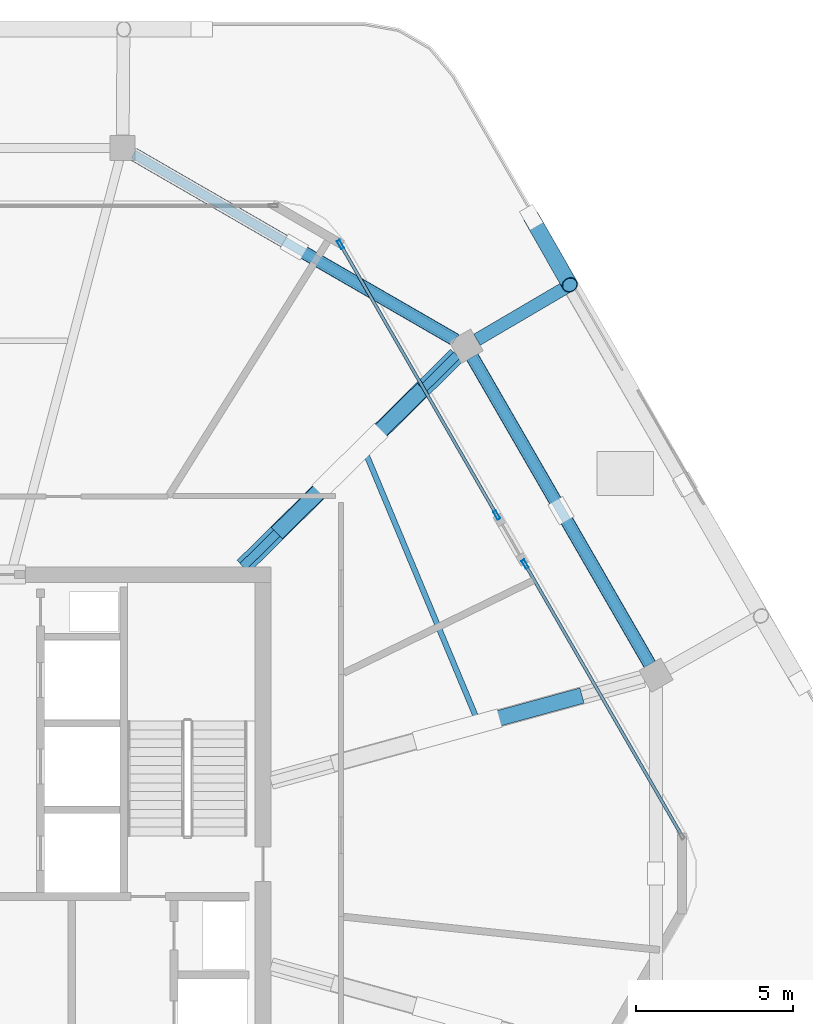
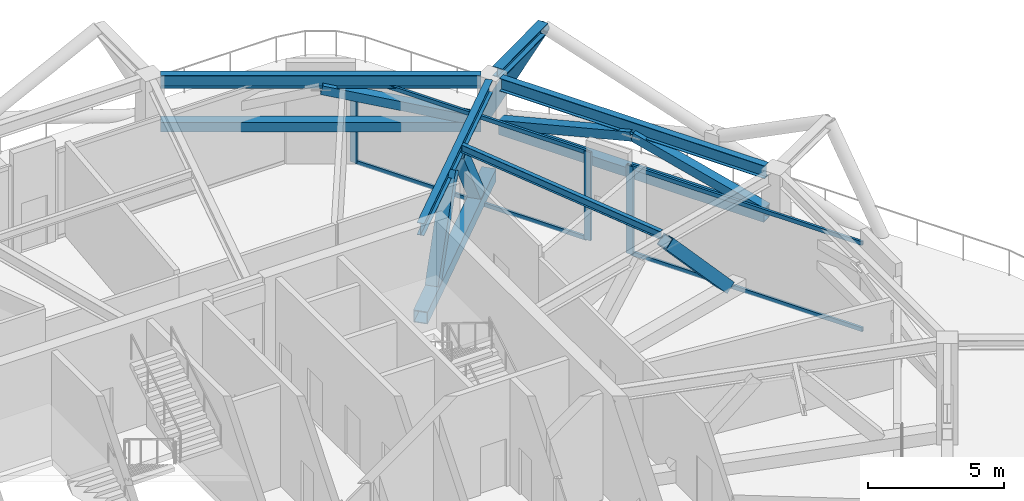
# One storey, part 9 of 19: 17 members, 5 beams, 2 elements without a shape of their own.
"""IFC4 building model written with IfcOpenShell, lengths in metres."""

from ifc_helpers import new_model, si_unit, direction, frame, origin, origin_2d, place, context, subcontext, project, spatial, hollow_rectangle, hollow_circle, i_section, extrude, material, material_profile, profile_set, type_object, element, aggregate, save


model = new_model("IFC4")

# Units and contexts
model_context = context("Model", 3, precision=1e-05, world=origin(), true_north=direction((0.0, 1.0)))
body_context = subcontext(model_context, "Body", "Model", "MODEL_VIEW")
ifc_project = project(units=[si_unit("LENGTHUNIT", "METRE"), si_unit("AREAUNIT", "SQUARE_METRE"), si_unit("VOLUMEUNIT", "CUBIC_METRE"), si_unit("PLANEANGLEUNIT", "RADIAN"), si_unit("MASSUNIT", "GRAM", prefix="KILO")], contexts=[model_context])

# Site, building, storey
site_placement = place(None, origin())
site = spatial("IfcSite", under=ifc_project, at=site_placement, CompositionType="ELEMENT")
building_placement = place(site_placement, origin())
building = spatial("IfcBuilding", under=site, at=building_placement, Name="Zuhravey Tower", CompositionType="ELEMENT")
storey_placement = place(building_placement, frame((0.0, 0.0, 303.39990234375)))
storey = spatial("IfcBuildingStorey", under=building, at=storey_placement, Name="L77", CompositionType="ELEMENT", Elevation=303.39990234375)

# Members
ifc_material_1 = material(Name="Steel SM355", Category="steel")
ifc_material_profile_1 = material_profile(ifc_material_1, hollow_rectangle(XDim=0.419921875, YDim=0.419921875, WallThickness=0.028076171875, at=origin_2d()), Name="RHS-420x420x28")
ifc_profile_set_1 = profile_set([ifc_material_profile_1], Name="Steel SM355")
member_type_1 = type_object("IfcMemberType", Name="Belt Truss Chord RHS420x420", PredefinedType="CHORD", material=ifc_profile_set_1)
member_1_placement = place(storey_placement, frame((58.791015625, 38.653076171875, 2.27001953125), z_axis=(-0.500007547564, 0.866021046153, 0.0), x_axis=(-0.866021046153, -0.500007547564, 0.0)))
element("IfcMember", 1, at=member_1_placement, inside=storey, type_object=member_type_1, Name="L77 Belt Truss Bottom Chord BTC1-01", PredefinedType="CHORD", context=body_context, shape_type="SweptSolid", body=[
    extrude(hollow_rectangle(XDim=0.419921875, YDim=0.419921875, WallThickness=0.028076171875, at=origin_2d()), origin(), (0.0, 0.0, 1.0), 11.267333984375),
])
member_2_placement = place(storey_placement, frame((52.60400390625, 48.964111328125, 2.27001953125), z_axis=(-0.86602323397, 0.500003758211, 0.0), x_axis=(-0.500003758211, -0.86602323397, 0.0)))
element("IfcMember", 2, at=member_2_placement, inside=storey, type_object=member_type_1, Name="L77 Belt Truss Bottom Chord BTC1-02", PredefinedType="CHORD", context=body_context, shape_type="SweptSolid", body=[
    extrude(hollow_rectangle(XDim=0.419921875, YDim=0.419921875, WallThickness=0.028076171875, at=origin_2d()), origin(), (0.0, 0.0, 1.0), 11.794921875),
])
ifc_material_profile_2 = material_profile(ifc_material_1, hollow_rectangle(XDim=0.39990234375, YDim=0.39990234375, WallThickness=0.02490234375, at=origin_2d()), Name="RHS-400x400x25")
ifc_profile_set_2 = profile_set([ifc_material_profile_2], Name="Steel SM355")
member_type_2 = type_object("IfcMemberType", Name="Belt Truss Diagonal RHS400x400", PredefinedType="BRACE", material=ifc_profile_set_2)
member_3_placement = place(storey_placement, frame((58.78369140625, 38.665771484375, 2.493896484375), z_axis=(-0.484425118095, 0.839055759618, 0.247624185432), x_axis=(-0.866027169422, -0.499996941814, 0.0)))
element("IfcMember", 3, at=member_3_placement, inside=storey, type_object=member_type_2, Name="L77 Belt Truss Diagonal BTD1-01.1", PredefinedType="BRACE", context=body_context, shape_type="SweptSolid", body=[
    extrude(hollow_rectangle(XDim=0.39990234375, YDim=0.39990234375, WallThickness=0.02490234375, at=origin_2d()), origin(), (0.0, 0.0, 1.0), 5.774658203125),
])
member_4_placement = place(storey_placement, frame((53.16455078125, 48.3984375, 2.493896484375), z_axis=(0.484407934139, -0.839068272722, 0.247615401488), x_axis=(0.866038078012, 0.499978046952, 0.0)))
element("IfcMember", 4, at=member_4_placement, inside=storey, type_object=member_type_2, Name="L77 Belt Truss Diagonal BTD1-01.2", PredefinedType="BRACE", context=body_context, shape_type="SweptSolid", body=[
    extrude(hollow_rectangle(XDim=0.39990234375, YDim=0.39990234375, WallThickness=0.02490234375, at=origin_2d()), origin(), (0.0, 0.0, 1.0), 5.77490234375),
])
member_5_placement = place(storey_placement, frame((52.59130859375, 48.971435546875, 2.49365234375), z_axis=(-0.841292014948, 0.485764057907, 0.237194067445), x_axis=(-0.500033881485, -0.866005841416, 0.0)))
element("IfcMember", 5, at=member_5_placement, inside=storey, type_object=member_type_2, Name="L77 Belt Truss Diagonal BTD1-02.1", PredefinedType="BRACE", context=body_context, shape_type="SweptSolid", body=[
    extrude(hollow_rectangle(XDim=0.39990234375, YDim=0.39990234375, WallThickness=0.02490234375, at=origin_2d()), origin(), (0.0, 0.0, 1.0), 6.030517578125),
])

# Beam
ifc_material_2 = material(Name="Steel SM460", Category="steel")
ifc_material_profile_3 = material_profile(ifc_material_2, i_section(OverallWidth=0.406982421875, OverallDepth=0.427978515625, WebThickness=0.02001953125, FlangeThickness=0.034912109375, at=origin_2d()), Name="H-428x407x20x35")
ifc_profile_set_3 = profile_set([ifc_material_profile_3], Name="Steel SM460")
beam_type_1 = type_object("IfcBeamType", Name="Exoskeleton Node Tie Beam H428x407", PredefinedType="BEAM", material=ifc_profile_set_3)
beam_1_placement = place(storey_placement, frame((53.302978515625, 48.96630859375, 4.336181640625), z_axis=(0.862248653109, 0.506485202362, 0.0), x_axis=(-0.506485202362, 0.862248653109, 0.0)))
element("IfcBeam", 6, at=beam_1_placement, inside=storey, type_object=beam_type_1, Name="L77 Exoskeleton Node Tie NT1-02", PredefinedType="BEAM", context=body_context, shape_type="SweptSolid", body=[
    extrude(i_section(OverallWidth=0.406982421875, OverallDepth=0.427978515625, WebThickness=0.02001953125, FlangeThickness=0.034912109375, at=origin_2d()), origin(), (0.0, 0.0, 1.0), 3.411376953125),
])

# Member
ifc_material_profile_4 = material_profile(ifc_material_1, hollow_circle(Radius=0.25390625, WallThickness=0.02490234375, at=origin_2d()), Name="CHS-508.0x25")
ifc_profile_set_4 = profile_set([ifc_material_profile_4], Name="Steel SM355")
member_type_3 = type_object("IfcMemberType", Name="Exoskeleton Zone 4 Diagrid CHS508x25", PredefinedType="BRACE", material=ifc_profile_set_4)
member_6_placement = place(storey_placement, frame((55.033203125, 52.8515625, -0.477783203125), z_axis=(0.22615563779, -0.397231945744, 0.88941576823), x_axis=(0.86902805527, 0.494762811004, 0.0)))
element("IfcMember", 7, at=member_6_placement, inside=storey, type_object=member_type_3, Name="L77 Face 1 Diagrid Brace 4", PredefinedType="BRACE", context=body_context, shape_type="SweptSolid", body=[
    extrude(hollow_circle(Radius=0.25390625, WallThickness=0.02490234375, at=origin_2d()), origin(), (0.0, 0.0, 1.0), 5.394287109375),
])

# Curtain wall, members
ifc_material_3 = material(Name="Thermally broken anodised aluminium", Category="aluminium")
curtain_wall_type = type_object("IfcCurtainWallType", Name="Sky-Garden Tray Clerestory Curtain Wall CW5", PredefinedType="NOTDEFINED", material=ifc_material_3)
curtain_wall_1_placement = place(storey_placement, origin())
curtain_wall_1 = element("IfcCurtainWall", 8, at=curtain_wall_1_placement, inside=storey, type_object=curtain_wall_type, Name="L77 CW5 CW-L77-F1-1", PredefinedType="NOTDEFINED")
ifc_material_4 = material(Name="Anodised aluminium", Category="aluminium")
ifc_material_profile_5 = material_profile(ifc_material_4, hollow_rectangle(XDim=0.10009765625, YDim=0.2900390625, WallThickness=0.006103515625, at=origin_2d()), Name="ALU-RHS-100x290x6")
ifc_profile_set_5 = profile_set([ifc_material_profile_5], Name="Anodised aluminium")
member_type_4 = type_object("IfcMemberType", Name="Heavy Tall-Storey Mullion 100x220", PredefinedType="MULLION", material=ifc_profile_set_5)
member_7_placement = place(storey_placement, frame((48.96435546875, 51.993408203125, 0.0), z_axis=(0.0, 0.0, 1.0), x_axis=(0.866027565236, 0.499996256238, 0.0)))
member_7 = element("IfcMember", 9, at=member_7_placement, type_object=member_type_4, Name="CW5 mullion 1", PredefinedType="MULLION", context=body_context, shape_type="SweptSolid", body=[
    extrude(hollow_rectangle(XDim=0.10009765625, YDim=0.2900390625, WallThickness=0.006103515625, at=origin_2d()), origin(), (0.0, 0.0, 1.0), 3.97021484375),
])
member_8_placement = place(storey_placement, frame((53.930419921875, 43.3916015625, 0.0), z_axis=(0.0, 0.0, 1.0), x_axis=(0.866027565236, 0.499996256238, 0.0)))
member_8 = element("IfcMember", 10, at=member_8_placement, type_object=member_type_4, Name="CW5 mullion 2", PredefinedType="MULLION", context=body_context, shape_type="SweptSolid", body=[
    extrude(hollow_rectangle(XDim=0.10009765625, YDim=0.2900390625, WallThickness=0.006103515625, at=origin_2d()), origin(), (0.0, 0.0, 1.0), 3.97021484375),
])

# Curtain wall, member
curtain_wall_2_placement = place(storey_placement, origin())
curtain_wall_2 = element("IfcCurtainWall", 11, at=curtain_wall_2_placement, inside=storey, type_object=curtain_wall_type, Name="L77 CW5 CW-L77-F1-2", PredefinedType="NOTDEFINED")
member_9_placement = place(storey_placement, frame((54.83056640625, 41.83251953125, 0.0), z_axis=(0.0, 0.0, 1.0), x_axis=(0.866023249133, 0.500003731948, 0.0)))
member_9 = element("IfcMember", 12, at=member_9_placement, type_object=member_type_4, Name="CW5 mullion 1", PredefinedType="MULLION", context=body_context, shape_type="SweptSolid", body=[
    extrude(hollow_rectangle(XDim=0.10009765625, YDim=0.2900390625, WallThickness=0.006103515625, at=origin_2d()), origin(), (0.0, 0.0, 1.0), 3.97021484375),
])

# Members
ifc_material_profile_6 = material_profile(ifc_material_2, hollow_rectangle(XDim=0.550048828125, YDim=0.550048828125, WallThickness=0.034912109375, at=origin_2d()), Name="RHS-550x550x35")
ifc_profile_set_6 = profile_set([ifc_material_profile_6], Name="Steel SM460")
member_type_5 = type_object("IfcMemberType", Name="Outrigger Truss Chord RHS550x550", PredefinedType="CHORD", material=ifc_profile_set_6)
member_10_placement = place(storey_placement, frame((45.868896484375, 41.756591796875, 0.320068359375), z_axis=(0.711136362331, 0.703054104725, 0.0), x_axis=(-0.703054104725, 0.711136362331, 0.0)))
element("IfcMember", 13, at=member_10_placement, inside=storey, type_object=member_type_5, Name="L77 Outrigger Bottom Chord OTC1-02", PredefinedType="CHORD", context=body_context, shape_type="SweptSolid", body=[
    extrude(hollow_rectangle(XDim=0.550048828125, YDim=0.550048828125, WallThickness=0.034912109375, at=origin_2d()), origin(), (0.0, 0.0, 1.0), 9.54541015625),
])
ifc_material_profile_7 = material_profile(ifc_material_2, hollow_rectangle(XDim=0.5, YDim=0.5, WallThickness=0.031982421875, at=origin_2d()), Name="RHS-500x500x32")
ifc_profile_set_7 = profile_set([ifc_material_profile_7], Name="Steel SM460")
member_type_6 = type_object("IfcMemberType", Name="Outrigger Truss Diagonal RHS500x500", PredefinedType="BRACE", material=ifc_profile_set_7)
member_11_placement = place(storey_placement, frame((56.4599609375, 37.60791015625, 0.56005859375), z_axis=(-0.642560035892, -0.176092047931, 0.745726619432), x_axis=(0.264302443749, -0.964439846869, 0.0)))
element("IfcMember", 14, at=member_11_placement, inside=storey, type_object=member_type_6, Name="L77 Outrigger Diagonal OTD1-01.2", PredefinedType="BRACE", context=body_context, shape_type="SweptSolid", body=[
    extrude(hollow_rectangle(XDim=0.5, YDim=0.5, WallThickness=0.031982421875, at=origin_2d()), origin(), (0.0, 0.0, 1.0), 4.787353515625),
])
member_12_placement = place(storey_placement, frame((47.0908203125, 42.964599609375, 0.56005859375), z_axis=(0.405921296379, 0.401260697734, 0.821107638255), x_axis=(-0.70301228968, 0.711177699706, 0.0)))
element("IfcMember", 15, at=member_12_placement, inside=storey, type_object=member_type_6, Name="L77 Outrigger Diagonal OTD1-02.1", PredefinedType="BRACE", context=body_context, shape_type="SweptSolid", body=[
    extrude(hollow_rectangle(XDim=0.5, YDim=0.5, WallThickness=0.031982421875, at=origin_2d()), origin(), (0.0, 0.0, 1.0), 4.347900390625),
])
member_13_placement = place(storey_placement, frame((51.435302734375, 47.259521484375, 0.56005859375), z_axis=(-0.405959047329, -0.401298659925, 0.821070421727), x_axis=(0.70301286089, -0.711177135054, 0.0)))
element("IfcMember", 16, at=member_13_placement, inside=storey, type_object=member_type_6, Name="L77 Outrigger Diagonal OTD1-02.2", PredefinedType="BRACE", context=body_context, shape_type="SweptSolid", body=[
    extrude(hollow_rectangle(XDim=0.5, YDim=0.5, WallThickness=0.031982421875, at=origin_2d()), origin(), (0.0, 0.0, 1.0), 4.34814453125),
])

# Beams
ifc_material_profile_8 = material_profile(ifc_material_1, i_section(OverallWidth=0.280029296875, OverallDepth=0.580078125, WebThickness=0.011962890625, FlangeThickness=0.01904296875, at=origin_2d()), Name="H-580x280x12x19")
ifc_profile_set_8 = profile_set([ifc_material_profile_8], Name="Steel SM355")
beam_type_2 = type_object("IfcBeamType", Name="Perimeter Ring Beam H580x280", PredefinedType="BEAM", material=ifc_profile_set_8)
beam_2_placement = place(storey_placement, frame((58.7919921875, 38.6513671875, 4.260009765625), z_axis=(-0.500006198144, 0.866021825255, 0.0), x_axis=(-0.866021825255, -0.500006198144, 0.0)))
element("IfcBeam", 17, at=beam_2_placement, inside=storey, type_object=beam_type_2, Name="L77 PB4 BM-L77-PB-01", PredefinedType="BEAM", context=body_context, shape_type="SweptSolid", body=[
    extrude(i_section(OverallWidth=0.280029296875, OverallDepth=0.580078125, WebThickness=0.011962890625, FlangeThickness=0.01904296875, at=origin_2d()), origin(), (0.0, 0.0, 1.0), 11.271240234375),
])
beam_3_placement = place(storey_placement, frame((52.605712890625, 48.963134765625, 4.260009765625), z_axis=(-0.866023977509, 0.500002470373, 0.0), x_axis=(-0.500002470373, -0.866023977509, 0.0)))
element("IfcBeam", 18, at=beam_3_placement, inside=storey, type_object=beam_type_2, Name="L77 PB4 BM-L77-PB-02", PredefinedType="BEAM", context=body_context, shape_type="SweptSolid", body=[
    extrude(i_section(OverallWidth=0.280029296875, OverallDepth=0.580078125, WebThickness=0.011962890625, FlangeThickness=0.01904296875, at=origin_2d()), origin(), (0.0, 0.0, 1.0), 11.798828125),
])
ifc_material_profile_9 = material_profile(ifc_material_1, i_section(OverallWidth=0.280029296875, OverallDepth=0.550048828125, WebThickness=0.010986328125, FlangeThickness=0.01806640625, at=origin_2d()), Name="H-550x280x11x18")
ifc_profile_set_9 = profile_set([ifc_material_profile_9], Name="Steel SM355")
beam_type_3 = type_object("IfcBeamType", Name="Radial Primary Girder H550x280", PredefinedType="BEAM", material=ifc_profile_set_9)
beam_4_placement = place(storey_placement, frame((45.865234375, 41.7529296875, 4.275146484375), z_axis=(0.711153035666, 0.703037239314, 0.0), x_axis=(-0.703037239314, 0.711153035666, 0.0)))
element("IfcBeam", 19, at=beam_4_placement, inside=storey, type_object=beam_type_3, Name="L77 RG4 BM-L77-RAD-02", PredefinedType="BEAM", context=body_context, shape_type="SweptSolid", body=[
    extrude(i_section(OverallWidth=0.280029296875, OverallDepth=0.550048828125, WebThickness=0.010986328125, FlangeThickness=0.01806640625, at=origin_2d()), origin(), (0.0, 0.0, 1.0), 9.566162109375),
])
ifc_material_profile_10 = material_profile(ifc_material_1, i_section(OverallWidth=0.175048828125, OverallDepth=0.35009765625, WebThickness=0.007080078125, FlangeThickness=0.010986328125, at=origin_2d()), Name="H-350x175x7x11")
ifc_profile_set_10 = profile_set([ifc_material_profile_10], Name="Steel SM355")
beam_type_4 = type_object("IfcBeamType", Name="Secondary Floor Joist H350x175", PredefinedType="JOIST", material=ifc_profile_set_10)
beam_5_placement = place(storey_placement, frame((53.307373046875, 36.891845703125, 4.375), z_axis=(-0.385657891576, 0.922641853953, 0.0), x_axis=(-0.922641853953, -0.385657891576, 0.0)))
element("IfcBeam", 20, at=beam_5_placement, inside=storey, type_object=beam_type_4, Name="L77 SJ3 BM-L77-SJ-01-1", PredefinedType="JOIST", context=body_context, shape_type="SweptSolid", body=[
    extrude(i_section(OverallWidth=0.175048828125, OverallDepth=0.35009765625, WebThickness=0.007080078125, FlangeThickness=0.010986328125, at=origin_2d()), origin(), (0.0, 0.0, 1.0), 9.226806640625),
])

# Member
ifc_material_profile_11 = material_profile(ifc_material_4, hollow_rectangle(XDim=0.10009765625, YDim=0.179931640625, WallThickness=0.006103515625, at=origin_2d()), Name="ALU-RHS-100x180x6")
ifc_profile_set_11 = profile_set([ifc_material_profile_11], Name="Anodised aluminium")
member_type_7 = type_object("IfcMemberType", Name="Tall-Storey Transom 100x180", PredefinedType="USERDEFINED", material=ifc_profile_set_11)
member_14_placement = place(storey_placement, frame((48.9892578125, 51.949951171875, 0.050048828125), z_axis=(0.500003301985, -0.866023497374, 0.0), x_axis=(0.866023497374, 0.500003301985, 0.0)))
member_14 = element("IfcMember", 21, at=member_14_placement, type_object=member_type_7, Name="CW5 transom 1.1", ObjectType="TRANSOM", PredefinedType="USERDEFINED", context=body_context, shape_type="SweptSolid", body=[
    extrude(hollow_rectangle(XDim=0.10009765625, YDim=0.179931640625, WallThickness=0.006103515625, at=origin_2d()), origin(), (0.0, 0.0, 1.0), 9.83251953125),
])

member_15_placement = place(storey_placement, frame((48.9892578125, 51.949951171875, 3.920166015625), z_axis=(0.500003301985, -0.866023497374, 0.0), x_axis=(0.866023497374, 0.500003301985, 0.0)))
member_15 = element("IfcMember", 22, at=member_15_placement, type_object=member_type_7, Name="CW5 transom 1.2", ObjectType="TRANSOM", PredefinedType="USERDEFINED", context=body_context, shape_type="SweptSolid", body=[
    extrude(hollow_rectangle(XDim=0.10009765625, YDim=0.179931640625, WallThickness=0.006103515625, at=origin_2d()), origin(), (0.0, 0.0, 1.0), 9.83251953125),
])

aggregate(curtain_wall_1, [member_7, member_8, member_14, member_15])

member_16_placement = place(storey_placement, frame((54.85546875, 41.789306640625, 0.050048828125), z_axis=(0.500003301985, -0.866023497374, 0.0), x_axis=(0.866023497374, 0.500003301985, 0.0)))
member_16 = element("IfcMember", 23, at=member_16_placement, type_object=member_type_7, Name="CW5 transom 1.1", ObjectType="TRANSOM", PredefinedType="USERDEFINED", context=body_context, shape_type="SweptSolid", body=[
    extrude(hollow_rectangle(XDim=0.10009765625, YDim=0.179931640625, WallThickness=0.006103515625, at=origin_2d()), origin(), (0.0, 0.0, 1.0), 9.83251953125),
])

member_17_placement = place(storey_placement, frame((54.85546875, 41.789306640625, 3.920166015625), z_axis=(0.500003301985, -0.866023497374, 0.0), x_axis=(0.866023497374, 0.500003301985, 0.0)))
member_17 = element("IfcMember", 24, at=member_17_placement, type_object=member_type_7, Name="CW5 transom 1.2", ObjectType="TRANSOM", PredefinedType="USERDEFINED", context=body_context, shape_type="SweptSolid", body=[
    extrude(hollow_rectangle(XDim=0.10009765625, YDim=0.179931640625, WallThickness=0.006103515625, at=origin_2d()), origin(), (0.0, 0.0, 1.0), 9.83251953125),
])

aggregate(curtain_wall_2, [member_9, member_16, member_17])

save(model, "model.ifc")
